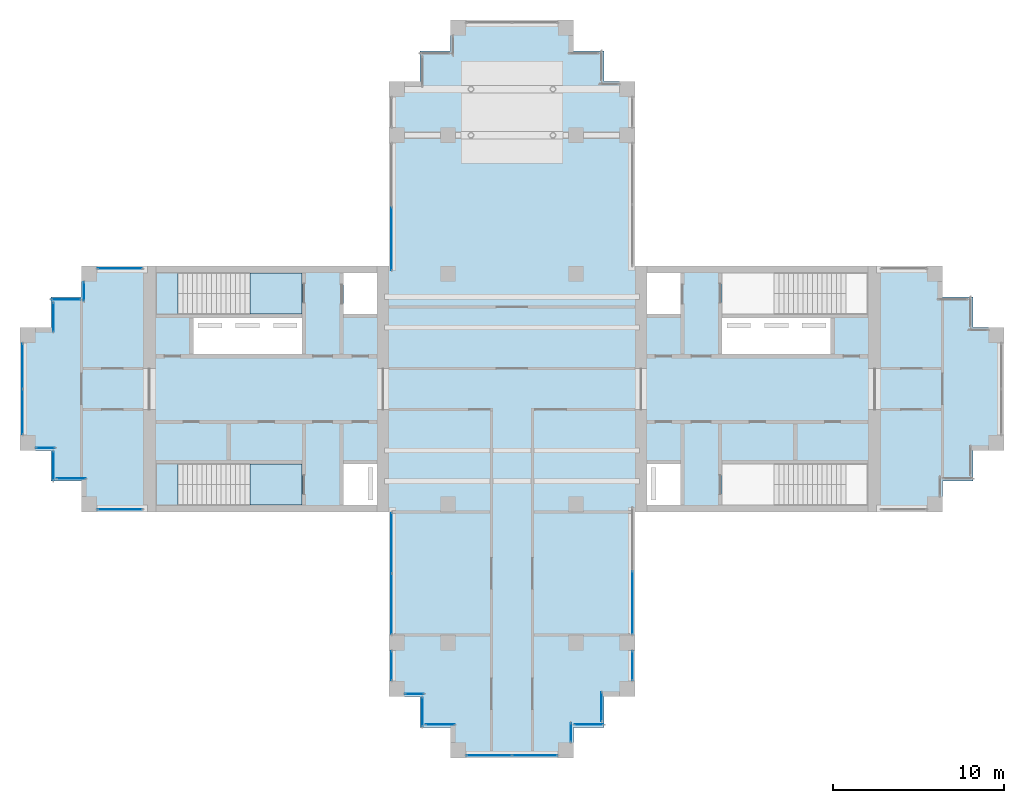
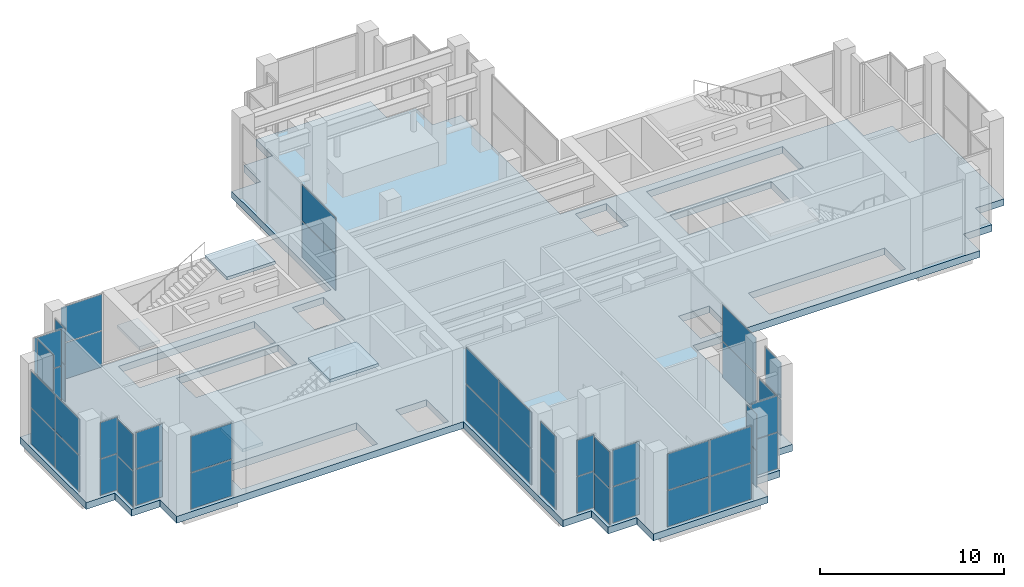
# One storey, part 8 of 13: 48 plates, 5 slabs, 23 elements without a shape of their own.
"""IFC4 building model written with IfcOpenShell, lengths in metres."""

from ifc_helpers import new_model, si_unit, direction, frame, origin, origin_2d, place, context, subcontext, project, spatial, polyline, rectangle, outline, extrude, material, layer, layer_set, type_object, element, aggregate, save


model = new_model("IFC4")

# Units and contexts
model_context = context("Model", 3, precision=1e-05, world=origin(), true_north=direction((0.0, 1.0)))
body_context = subcontext(model_context, "Body", "Model", "MODEL_VIEW")
ifc_project = project(units=[si_unit("LENGTHUNIT", "METRE"), si_unit("AREAUNIT", "SQUARE_METRE"), si_unit("VOLUMEUNIT", "CUBIC_METRE"), si_unit("PLANEANGLEUNIT", "RADIAN"), si_unit("MASSUNIT", "GRAM", prefix="KILO")], contexts=[model_context])

# Site, building, storey
site_placement = place(None, origin())
site = spatial("IfcSite", under=ifc_project, at=site_placement, CompositionType="ELEMENT")
building_placement = place(site_placement, origin())
building = spatial("IfcBuilding", under=site, at=building_placement, Name="Fustian Cross Tower", CompositionType="ELEMENT")
storey_placement = place(building_placement, frame((0.0, 0.0, 242.10009765625)))
storey = spatial("IfcBuildingStorey", under=building, at=storey_placement, Name="L76", CompositionType="ELEMENT", Elevation=242.10009765625)

# Curtain wall, plates
ifc_material_1 = material(Name="Glass", Category="glass")
curtain_wall_type = type_object("IfcCurtainWallType", Name="CW5 CURTAIN WALL", PredefinedType="NOTDEFINED", material=ifc_material_1)
curtain_wall_1_placement = place(storey_placement, origin())
curtain_wall_1 = element("IfcCurtainWall", 1, at=curtain_wall_1_placement, inside=storey, type_object=curtain_wall_type, Name="Curtain wall CW5", PredefinedType="NOTDEFINED")
ifc_material_2 = material(Name="Glass", Category="glass")
ifc_layer_1 = layer(ifc_material_2, 0.028076171875)
ifc_layer_set_1 = layer_set([ifc_layer_1], Name="Glass")
plate_type = type_object("IfcPlateType", Name="CW5 PANEL IGU28", PredefinedType="CURTAIN_PANEL", material=ifc_layer_set_1)
plate_1_placement = place(storey_placement, frame((-7.050048828125, 8.7900390625, 0.06005859375), z_axis=(0.0, 0.0, 1.0), x_axis=(0.0, -1.0, 0.0)))
plate_1 = element("IfcPlate", 2, at=plate_1_placement, type_object=plate_type, Name="CW5 panel 2.1", PredefinedType="CURTAIN_PANEL", context=body_context, shape_type="SweptSolid", body=[
    extrude(rectangle(XDim=3.659912109375, YDim=0.028076171875, at=origin_2d()), origin(), (0.0, 0.0, 1.0), 2.385009765625),
])
plate_2_placement = place(storey_placement, frame((-7.050048828125, 8.7900390625, 2.5048828125), z_axis=(0.0, 0.0, 1.0), x_axis=(0.0, -1.0, 0.0)))
plate_2 = element("IfcPlate", 3, at=plate_2_placement, type_object=plate_type, Name="CW5 panel 2.2", PredefinedType="CURTAIN_PANEL", context=body_context, shape_type="SweptSolid", body=[
    extrude(rectangle(XDim=3.659912109375, YDim=0.028076171875, at=origin_2d()), origin(), (0.0, 0.0, 1.0), 2.385009765625),
])
aggregate(curtain_wall_1, [plate_1, plate_2])

curtain_wall_2_placement = place(storey_placement, origin())
curtain_wall_2 = element("IfcCurtainWall", 4, at=curtain_wall_2_placement, inside=storey, type_object=curtain_wall_type, Name="Curtain wall CW5", PredefinedType="NOTDEFINED")
plate_3_placement = place(storey_placement, frame((-22.949951171875, 7.050048828125, 0.06005859375), z_axis=(0.0, 0.0, 1.0), x_axis=(-1.0, 0.0, 0.0)))
plate_3 = element("IfcPlate", 5, at=plate_3_placement, type_object=plate_type, Name="CW5 panel 1.1", PredefinedType="CURTAIN_PANEL", context=body_context, shape_type="SweptSolid", body=[
    extrude(rectangle(XDim=2.580078125, YDim=0.028076171875, at=origin_2d()), origin(), (0.0, 0.0, 1.0), 2.385009765625),
])
plate_4_placement = place(storey_placement, frame((-22.949951171875, 7.050048828125, 2.5048828125), z_axis=(0.0, 0.0, 1.0), x_axis=(-1.0, 0.0, 0.0)))
plate_4 = element("IfcPlate", 6, at=plate_4_placement, type_object=plate_type, Name="CW5 panel 1.2", PredefinedType="CURTAIN_PANEL", context=body_context, shape_type="SweptSolid", body=[
    extrude(rectangle(XDim=2.580078125, YDim=0.028076171875, at=origin_2d()), origin(), (0.0, 0.0, 1.0), 2.385009765625),
])
aggregate(curtain_wall_2, [plate_3, plate_4])

curtain_wall_3_placement = place(storey_placement, origin())
curtain_wall_3 = element("IfcCurtainWall", 7, at=curtain_wall_3_placement, inside=storey, type_object=curtain_wall_type, Name="Curtain wall CW5", PredefinedType="NOTDEFINED")
plate_5_placement = place(storey_placement, frame((-25.050048828125, 5.699951171875, 0.06005859375), z_axis=(0.0, 0.0, 1.0), x_axis=(0.0, -1.0, 0.0)))
plate_5 = element("IfcPlate", 8, at=plate_5_placement, type_object=plate_type, Name="CW5 panel 1.1", PredefinedType="CURTAIN_PANEL", context=body_context, shape_type="SweptSolid", body=[
    extrude(rectangle(XDim=1.080078125, YDim=0.028076171875, at=origin_2d()), origin(), (0.0, 0.0, 1.0), 2.385009765625),
])
plate_6_placement = place(storey_placement, frame((-25.050048828125, 5.699951171875, 2.5048828125), z_axis=(0.0, 0.0, 1.0), x_axis=(0.0, -1.0, 0.0)))
plate_6 = element("IfcPlate", 9, at=plate_6_placement, type_object=plate_type, Name="CW5 panel 1.2", PredefinedType="CURTAIN_PANEL", context=body_context, shape_type="SweptSolid", body=[
    extrude(rectangle(XDim=1.080078125, YDim=0.028076171875, at=origin_2d()), origin(), (0.0, 0.0, 1.0), 2.385009765625),
])
aggregate(curtain_wall_3, [plate_5, plate_6])

curtain_wall_4_placement = place(storey_placement, origin())
curtain_wall_4 = element("IfcCurtainWall", 10, at=curtain_wall_4_placement, inside=storey, type_object=curtain_wall_type, Name="Curtain wall CW5", PredefinedType="NOTDEFINED")
plate_7_placement = place(storey_placement, frame((-26.10009765625, 5.25, 0.06005859375), z_axis=(0.0, 0.0, 1.0), x_axis=(-1.0, 0.0, 0.0)))
plate_7 = element("IfcPlate", 11, at=plate_7_placement, type_object=plate_type, Name="CW5 panel 1.1", PredefinedType="CURTAIN_PANEL", context=body_context, shape_type="SweptSolid", body=[
    extrude(rectangle(XDim=1.679931640625, YDim=0.028076171875, at=origin_2d()), origin(), (0.0, 0.0, 1.0), 2.385009765625),
])
plate_8_placement = place(storey_placement, frame((-26.10009765625, 5.25, 2.5048828125), z_axis=(0.0, 0.0, 1.0), x_axis=(-1.0, 0.0, 0.0)))
plate_8 = element("IfcPlate", 12, at=plate_8_placement, type_object=plate_type, Name="CW5 panel 1.2", PredefinedType="CURTAIN_PANEL", context=body_context, shape_type="SweptSolid", body=[
    extrude(rectangle(XDim=1.679931640625, YDim=0.028076171875, at=origin_2d()), origin(), (0.0, 0.0, 1.0), 2.385009765625),
])
aggregate(curtain_wall_4, [plate_7, plate_8])

curtain_wall_5_placement = place(storey_placement, origin())
curtain_wall_5 = element("IfcCurtainWall", 13, at=curtain_wall_5_placement, inside=storey, type_object=curtain_wall_type, Name="Curtain wall CW5", PredefinedType="NOTDEFINED")
plate_9_placement = place(storey_placement, frame((-26.85009765625, 4.199951171875, 0.06005859375), z_axis=(0.0, 0.0, 1.0), x_axis=(0.0, -1.0, 0.0)))
plate_9 = element("IfcPlate", 14, at=plate_9_placement, type_object=plate_type, Name="CW5 panel 1.1", PredefinedType="CURTAIN_PANEL", context=body_context, shape_type="SweptSolid", body=[
    extrude(rectangle(XDim=1.679931640625, YDim=0.028076171875, at=origin_2d()), origin(), (0.0, 0.0, 1.0), 2.385009765625),
])
plate_10_placement = place(storey_placement, frame((-26.85009765625, 4.199951171875, 2.5048828125), z_axis=(0.0, 0.0, 1.0), x_axis=(0.0, -1.0, 0.0)))
plate_10 = element("IfcPlate", 15, at=plate_10_placement, type_object=plate_type, Name="CW5 panel 1.2", PredefinedType="CURTAIN_PANEL", context=body_context, shape_type="SweptSolid", body=[
    extrude(rectangle(XDim=1.679931640625, YDim=0.028076171875, at=origin_2d()), origin(), (0.0, 0.0, 1.0), 2.385009765625),
])
aggregate(curtain_wall_5, [plate_9, plate_10])

curtain_wall_6_placement = place(storey_placement, origin())
curtain_wall_6 = element("IfcCurtainWall", 16, at=curtain_wall_6_placement, inside=storey, type_object=curtain_wall_type, Name="Curtain wall CW5", PredefinedType="NOTDEFINED")
plate_11_placement = place(storey_placement, frame((-28.64990234375, 1.3349609375, 0.06005859375), z_axis=(0.0, 0.0, 1.0), x_axis=(0.0, -1.0, 0.0)))
plate_11 = element("IfcPlate", 17, at=plate_11_placement, type_object=plate_type, Name="CW5 panel 1.1", PredefinedType="CURTAIN_PANEL", context=body_context, shape_type="SweptSolid", body=[
    extrude(rectangle(XDim=2.610107421875, YDim=0.028076171875, at=origin_2d()), origin(), (0.0, 0.0, 1.0), 2.385009765625),
])
plate_12_placement = place(storey_placement, frame((-28.64990234375, 1.3349609375, 2.5048828125), z_axis=(0.0, 0.0, 1.0), x_axis=(0.0, -1.0, 0.0)))
plate_12 = element("IfcPlate", 18, at=plate_12_placement, type_object=plate_type, Name="CW5 panel 1.2", PredefinedType="CURTAIN_PANEL", context=body_context, shape_type="SweptSolid", body=[
    extrude(rectangle(XDim=2.610107421875, YDim=0.028076171875, at=origin_2d()), origin(), (0.0, 0.0, 1.0), 2.385009765625),
])
plate_13_placement = place(storey_placement, frame((-28.64990234375, -1.3349609375, 0.06005859375), z_axis=(0.0, 0.0, 1.0), x_axis=(0.0, -1.0, 0.0)))
plate_13 = element("IfcPlate", 19, at=plate_13_placement, type_object=plate_type, Name="CW5 panel 2.1", PredefinedType="CURTAIN_PANEL", context=body_context, shape_type="SweptSolid", body=[
    extrude(rectangle(XDim=2.610107421875, YDim=0.028076171875, at=origin_2d()), origin(), (0.0, 0.0, 1.0), 2.385009765625),
])
plate_14_placement = place(storey_placement, frame((-28.64990234375, -1.3349609375, 2.5048828125), z_axis=(0.0, 0.0, 1.0), x_axis=(0.0, -1.0, 0.0)))
plate_14 = element("IfcPlate", 20, at=plate_14_placement, type_object=plate_type, Name="CW5 panel 2.2", PredefinedType="CURTAIN_PANEL", context=body_context, shape_type="SweptSolid", body=[
    extrude(rectangle(XDim=2.610107421875, YDim=0.028076171875, at=origin_2d()), origin(), (0.0, 0.0, 1.0), 2.385009765625),
])
aggregate(curtain_wall_6, [plate_11, plate_12, plate_13, plate_14])

curtain_wall_7_placement = place(storey_placement, origin())
curtain_wall_7 = element("IfcCurtainWall", 21, at=curtain_wall_7_placement, inside=storey, type_object=curtain_wall_type, Name="Curtain wall CW5", PredefinedType="NOTDEFINED")
plate_15_placement = place(storey_placement, frame((-27.300048828125, -3.449951171875, 0.06005859375), z_axis=(0.0, 0.0, 1.0), x_axis=(1.0, 0.0, 0.0)))
plate_15 = element("IfcPlate", 22, at=plate_15_placement, type_object=plate_type, Name="CW5 panel 1.1", PredefinedType="CURTAIN_PANEL", context=body_context, shape_type="SweptSolid", body=[
    extrude(rectangle(XDim=1.080078125, YDim=0.028076171875, at=origin_2d()), origin(), (0.0, 0.0, 1.0), 2.385009765625),
])
plate_16_placement = place(storey_placement, frame((-27.300048828125, -3.449951171875, 2.5048828125), z_axis=(0.0, 0.0, 1.0), x_axis=(1.0, 0.0, 0.0)))
plate_16 = element("IfcPlate", 23, at=plate_16_placement, type_object=plate_type, Name="CW5 panel 1.2", PredefinedType="CURTAIN_PANEL", context=body_context, shape_type="SweptSolid", body=[
    extrude(rectangle(XDim=1.080078125, YDim=0.028076171875, at=origin_2d()), origin(), (0.0, 0.0, 1.0), 2.385009765625),
])
aggregate(curtain_wall_7, [plate_15, plate_16])

curtain_wall_8_placement = place(storey_placement, origin())
curtain_wall_8 = element("IfcCurtainWall", 24, at=curtain_wall_8_placement, inside=storey, type_object=curtain_wall_type, Name="Curtain wall CW5", PredefinedType="NOTDEFINED")
plate_17_placement = place(storey_placement, frame((-26.85009765625, -4.5, 0.06005859375), z_axis=(0.0, 0.0, 1.0), x_axis=(0.0, -1.0, 0.0)))
plate_17 = element("IfcPlate", 25, at=plate_17_placement, type_object=plate_type, Name="CW5 panel 1.1", PredefinedType="CURTAIN_PANEL", context=body_context, shape_type="SweptSolid", body=[
    extrude(rectangle(XDim=1.679931640625, YDim=0.028076171875, at=origin_2d()), origin(), (0.0, 0.0, 1.0), 2.385009765625),
])
plate_18_placement = place(storey_placement, frame((-26.85009765625, -4.5, 2.5048828125), z_axis=(0.0, 0.0, 1.0), x_axis=(0.0, -1.0, 0.0)))
plate_18 = element("IfcPlate", 26, at=plate_18_placement, type_object=plate_type, Name="CW5 panel 1.2", PredefinedType="CURTAIN_PANEL", context=body_context, shape_type="SweptSolid", body=[
    extrude(rectangle(XDim=1.679931640625, YDim=0.028076171875, at=origin_2d()), origin(), (0.0, 0.0, 1.0), 2.385009765625),
])
aggregate(curtain_wall_8, [plate_17, plate_18])

curtain_wall_9_placement = place(storey_placement, origin())
curtain_wall_9 = element("IfcCurtainWall", 27, at=curtain_wall_9_placement, inside=storey, type_object=curtain_wall_type, Name="Curtain wall CW5", PredefinedType="NOTDEFINED")
plate_19_placement = place(storey_placement, frame((-25.800048828125, -5.25, 0.06005859375), z_axis=(0.0, 0.0, 1.0), x_axis=(1.0, 0.0, 0.0)))
plate_19 = element("IfcPlate", 28, at=plate_19_placement, type_object=plate_type, Name="CW5 panel 1.1", PredefinedType="CURTAIN_PANEL", context=body_context, shape_type="SweptSolid", body=[
    extrude(rectangle(XDim=1.679931640625, YDim=0.028076171875, at=origin_2d()), origin(), (0.0, 0.0, 1.0), 2.385009765625),
])
plate_20_placement = place(storey_placement, frame((-25.800048828125, -5.25, 2.5048828125), z_axis=(0.0, 0.0, 1.0), x_axis=(1.0, 0.0, 0.0)))
plate_20 = element("IfcPlate", 29, at=plate_20_placement, type_object=plate_type, Name="CW5 panel 1.2", PredefinedType="CURTAIN_PANEL", context=body_context, shape_type="SweptSolid", body=[
    extrude(rectangle(XDim=1.679931640625, YDim=0.028076171875, at=origin_2d()), origin(), (0.0, 0.0, 1.0), 2.385009765625),
])
aggregate(curtain_wall_9, [plate_19, plate_20])

curtain_wall_10_placement = place(storey_placement, origin())
curtain_wall_10 = element("IfcCurtainWall", 30, at=curtain_wall_10_placement, inside=storey, type_object=curtain_wall_type, Name="Curtain wall CW5", PredefinedType="NOTDEFINED")
plate_21_placement = place(storey_placement, frame((-22.949951171875, -7.050048828125, 0.06005859375), z_axis=(0.0, 0.0, 1.0), x_axis=(1.0, 0.0, 0.0)))
plate_21 = element("IfcPlate", 31, at=plate_21_placement, type_object=plate_type, Name="CW5 panel 1.1", PredefinedType="CURTAIN_PANEL", context=body_context, shape_type="SweptSolid", body=[
    extrude(rectangle(XDim=2.580078125, YDim=0.028076171875, at=origin_2d()), origin(), (0.0, 0.0, 1.0), 2.385009765625),
])
plate_22_placement = place(storey_placement, frame((-22.949951171875, -7.050048828125, 2.5048828125), z_axis=(0.0, 0.0, 1.0), x_axis=(1.0, 0.0, 0.0)))
plate_22 = element("IfcPlate", 32, at=plate_22_placement, type_object=plate_type, Name="CW5 panel 1.2", PredefinedType="CURTAIN_PANEL", context=body_context, shape_type="SweptSolid", body=[
    extrude(rectangle(XDim=2.580078125, YDim=0.028076171875, at=origin_2d()), origin(), (0.0, 0.0, 1.0), 2.385009765625),
])
aggregate(curtain_wall_10, [plate_21, plate_22])

curtain_wall_11_placement = place(storey_placement, origin())
curtain_wall_11 = element("IfcCurtainWall", 33, at=curtain_wall_11_placement, inside=storey, type_object=curtain_wall_type, Name="Curtain wall CW5", PredefinedType="NOTDEFINED")
plate_23_placement = place(storey_placement, frame((-7.050048828125, -9.014892578125, 0.06005859375), z_axis=(0.0, 0.0, 1.0), x_axis=(0.0, -1.0, 0.0)))
plate_23 = element("IfcPlate", 34, at=plate_23_placement, type_object=plate_type, Name="CW5 panel 1.1", PredefinedType="CURTAIN_PANEL", context=body_context, shape_type="SweptSolid", body=[
    extrude(rectangle(XDim=3.510009765625, YDim=0.028076171875, at=origin_2d()), origin(), (0.0, 0.0, 1.0), 2.385009765625),
])
plate_24_placement = place(storey_placement, frame((-7.050048828125, -9.014892578125, 2.5048828125), z_axis=(0.0, 0.0, 1.0), x_axis=(0.0, -1.0, 0.0)))
plate_24 = element("IfcPlate", 35, at=plate_24_placement, type_object=plate_type, Name="CW5 panel 1.2", PredefinedType="CURTAIN_PANEL", context=body_context, shape_type="SweptSolid", body=[
    extrude(rectangle(XDim=3.510009765625, YDim=0.028076171875, at=origin_2d()), origin(), (0.0, 0.0, 1.0), 2.385009765625),
])
plate_25_placement = place(storey_placement, frame((-7.050048828125, -12.5849609375, 0.06005859375), z_axis=(0.0, 0.0, 1.0), x_axis=(0.0, -1.0, 0.0)))
plate_25 = element("IfcPlate", 36, at=plate_25_placement, type_object=plate_type, Name="CW5 panel 2.1", PredefinedType="CURTAIN_PANEL", context=body_context, shape_type="SweptSolid", body=[
    extrude(rectangle(XDim=3.510009765625, YDim=0.028076171875, at=origin_2d()), origin(), (0.0, 0.0, 1.0), 2.385009765625),
])
plate_26_placement = place(storey_placement, frame((-7.050048828125, -12.5849609375, 2.5048828125), z_axis=(0.0, 0.0, 1.0), x_axis=(0.0, -1.0, 0.0)))
plate_26 = element("IfcPlate", 37, at=plate_26_placement, type_object=plate_type, Name="CW5 panel 2.2", PredefinedType="CURTAIN_PANEL", context=body_context, shape_type="SweptSolid", body=[
    extrude(rectangle(XDim=3.510009765625, YDim=0.028076171875, at=origin_2d()), origin(), (0.0, 0.0, 1.0), 2.385009765625),
])
aggregate(curtain_wall_11, [plate_23, plate_24, plate_25, plate_26])

curtain_wall_12_placement = place(storey_placement, origin())
curtain_wall_12 = element("IfcCurtainWall", 38, at=curtain_wall_12_placement, inside=storey, type_object=curtain_wall_type, Name="Curtain wall CW5", PredefinedType="NOTDEFINED")
plate_27_placement = place(storey_placement, frame((-7.050048828125, -16.199951171875, 0.06005859375), z_axis=(0.0, 0.0, 1.0), x_axis=(0.0, -1.0, 0.0)))
plate_27 = element("IfcPlate", 39, at=plate_27_placement, type_object=plate_type, Name="CW5 panel 1.1", PredefinedType="CURTAIN_PANEL", context=body_context, shape_type="SweptSolid", body=[
    extrude(rectangle(XDim=1.679931640625, YDim=0.028076171875, at=origin_2d()), origin(), (0.0, 0.0, 1.0), 2.385009765625),
])
plate_28_placement = place(storey_placement, frame((-7.050048828125, -16.199951171875, 2.5048828125), z_axis=(0.0, 0.0, 1.0), x_axis=(0.0, -1.0, 0.0)))
plate_28 = element("IfcPlate", 40, at=plate_28_placement, type_object=plate_type, Name="CW5 panel 1.2", PredefinedType="CURTAIN_PANEL", context=body_context, shape_type="SweptSolid", body=[
    extrude(rectangle(XDim=1.679931640625, YDim=0.028076171875, at=origin_2d()), origin(), (0.0, 0.0, 1.0), 2.385009765625),
])
aggregate(curtain_wall_12, [plate_27, plate_28])

curtain_wall_13_placement = place(storey_placement, origin())
curtain_wall_13 = element("IfcCurtainWall", 41, at=curtain_wall_13_placement, inside=storey, type_object=curtain_wall_type, Name="Curtain wall CW5", PredefinedType="NOTDEFINED")
plate_29_placement = place(storey_placement, frame((-5.699951171875, -17.85009765625, 0.06005859375), z_axis=(0.0, 0.0, 1.0), x_axis=(1.0, 0.0, 0.0)))
plate_29 = element("IfcPlate", 42, at=plate_29_placement, type_object=plate_type, Name="CW5 panel 1.1", PredefinedType="CURTAIN_PANEL", context=body_context, shape_type="SweptSolid", body=[
    extrude(rectangle(XDim=1.080078125, YDim=0.028076171875, at=origin_2d()), origin(), (0.0, 0.0, 1.0), 2.385009765625),
])
plate_30_placement = place(storey_placement, frame((-5.699951171875, -17.85009765625, 2.5048828125), z_axis=(0.0, 0.0, 1.0), x_axis=(1.0, 0.0, 0.0)))
plate_30 = element("IfcPlate", 43, at=plate_30_placement, type_object=plate_type, Name="CW5 panel 1.2", PredefinedType="CURTAIN_PANEL", context=body_context, shape_type="SweptSolid", body=[
    extrude(rectangle(XDim=1.080078125, YDim=0.028076171875, at=origin_2d()), origin(), (0.0, 0.0, 1.0), 2.385009765625),
])
aggregate(curtain_wall_13, [plate_29, plate_30])

curtain_wall_14_placement = place(storey_placement, origin())
curtain_wall_14 = element("IfcCurtainWall", 44, at=curtain_wall_14_placement, inside=storey, type_object=curtain_wall_type, Name="Curtain wall CW5", PredefinedType="NOTDEFINED")
plate_31_placement = place(storey_placement, frame((-5.25, -18.89990234375, 0.06005859375), z_axis=(0.0, 0.0, 1.0), x_axis=(0.0, -1.0, 0.0)))
plate_31 = element("IfcPlate", 45, at=plate_31_placement, type_object=plate_type, Name="CW5 panel 1.1", PredefinedType="CURTAIN_PANEL", context=body_context, shape_type="SweptSolid", body=[
    extrude(rectangle(XDim=1.679931640625, YDim=0.028076171875, at=origin_2d()), origin(), (0.0, 0.0, 1.0), 2.385009765625),
])
plate_32_placement = place(storey_placement, frame((-5.25, -18.89990234375, 2.5048828125), z_axis=(0.0, 0.0, 1.0), x_axis=(0.0, -1.0, 0.0)))
plate_32 = element("IfcPlate", 46, at=plate_32_placement, type_object=plate_type, Name="CW5 panel 1.2", PredefinedType="CURTAIN_PANEL", context=body_context, shape_type="SweptSolid", body=[
    extrude(rectangle(XDim=1.679931640625, YDim=0.028076171875, at=origin_2d()), origin(), (0.0, 0.0, 1.0), 2.385009765625),
])
aggregate(curtain_wall_14, [plate_31, plate_32])

curtain_wall_15_placement = place(storey_placement, origin())
curtain_wall_15 = element("IfcCurtainWall", 47, at=curtain_wall_15_placement, inside=storey, type_object=curtain_wall_type, Name="Curtain wall CW5", PredefinedType="NOTDEFINED")
plate_33_placement = place(storey_placement, frame((-4.199951171875, -19.64990234375, 0.06005859375), z_axis=(0.0, 0.0, 1.0), x_axis=(1.0, 0.0, 0.0)))
plate_33 = element("IfcPlate", 48, at=plate_33_placement, type_object=plate_type, Name="CW5 panel 1.1", PredefinedType="CURTAIN_PANEL", context=body_context, shape_type="SweptSolid", body=[
    extrude(rectangle(XDim=1.679931640625, YDim=0.028076171875, at=origin_2d()), origin(), (0.0, 0.0, 1.0), 2.385009765625),
])
plate_34_placement = place(storey_placement, frame((-4.199951171875, -19.64990234375, 2.5048828125), z_axis=(0.0, 0.0, 1.0), x_axis=(1.0, 0.0, 0.0)))
plate_34 = element("IfcPlate", 49, at=plate_34_placement, type_object=plate_type, Name="CW5 panel 1.2", PredefinedType="CURTAIN_PANEL", context=body_context, shape_type="SweptSolid", body=[
    extrude(rectangle(XDim=1.679931640625, YDim=0.028076171875, at=origin_2d()), origin(), (0.0, 0.0, 1.0), 2.385009765625),
])
aggregate(curtain_wall_15, [plate_33, plate_34])

curtain_wall_16_placement = place(storey_placement, origin())
curtain_wall_16 = element("IfcCurtainWall", 50, at=curtain_wall_16_placement, inside=storey, type_object=curtain_wall_type, Name="Curtain wall CW5", PredefinedType="NOTDEFINED")
plate_35_placement = place(storey_placement, frame((-1.3349609375, -21.449951171875, 0.06005859375), z_axis=(0.0, 0.0, 1.0), x_axis=(1.0, 0.0, 0.0)))
plate_35 = element("IfcPlate", 51, at=plate_35_placement, type_object=plate_type, Name="CW5 panel 1.1", PredefinedType="CURTAIN_PANEL", context=body_context, shape_type="SweptSolid", body=[
    extrude(rectangle(XDim=2.610107421875, YDim=0.028076171875, at=origin_2d()), origin(), (0.0, 0.0, 1.0), 2.385009765625),
])
plate_36_placement = place(storey_placement, frame((-1.3349609375, -21.449951171875, 2.5048828125), z_axis=(0.0, 0.0, 1.0), x_axis=(1.0, 0.0, 0.0)))
plate_36 = element("IfcPlate", 52, at=plate_36_placement, type_object=plate_type, Name="CW5 panel 1.2", PredefinedType="CURTAIN_PANEL", context=body_context, shape_type="SweptSolid", body=[
    extrude(rectangle(XDim=2.610107421875, YDim=0.028076171875, at=origin_2d()), origin(), (0.0, 0.0, 1.0), 2.385009765625),
])
plate_37_placement = place(storey_placement, frame((1.3349609375, -21.449951171875, 0.06005859375), z_axis=(0.0, 0.0, 1.0), x_axis=(1.0, 0.0, 0.0)))
plate_37 = element("IfcPlate", 53, at=plate_37_placement, type_object=plate_type, Name="CW5 panel 2.1", PredefinedType="CURTAIN_PANEL", context=body_context, shape_type="SweptSolid", body=[
    extrude(rectangle(XDim=2.610107421875, YDim=0.028076171875, at=origin_2d()), origin(), (0.0, 0.0, 1.0), 2.385009765625),
])
plate_38_placement = place(storey_placement, frame((1.3349609375, -21.449951171875, 2.5048828125), z_axis=(0.0, 0.0, 1.0), x_axis=(1.0, 0.0, 0.0)))
plate_38 = element("IfcPlate", 54, at=plate_38_placement, type_object=plate_type, Name="CW5 panel 2.2", PredefinedType="CURTAIN_PANEL", context=body_context, shape_type="SweptSolid", body=[
    extrude(rectangle(XDim=2.610107421875, YDim=0.028076171875, at=origin_2d()), origin(), (0.0, 0.0, 1.0), 2.385009765625),
])
aggregate(curtain_wall_16, [plate_35, plate_36, plate_37, plate_38])

curtain_wall_17_placement = place(storey_placement, origin())
curtain_wall_17 = element("IfcCurtainWall", 55, at=curtain_wall_17_placement, inside=storey, type_object=curtain_wall_type, Name="Curtain wall CW5", PredefinedType="NOTDEFINED")
plate_39_placement = place(storey_placement, frame((3.449951171875, -20.10009765625, 0.06005859375), z_axis=(0.0, 0.0, 1.0), x_axis=(0.0, 1.0, 0.0)))
plate_39 = element("IfcPlate", 56, at=plate_39_placement, type_object=plate_type, Name="CW5 panel 1.1", PredefinedType="CURTAIN_PANEL", context=body_context, shape_type="SweptSolid", body=[
    extrude(rectangle(XDim=1.080078125, YDim=0.028076171875, at=origin_2d()), origin(), (0.0, 0.0, 1.0), 2.385009765625),
])
plate_40_placement = place(storey_placement, frame((3.449951171875, -20.10009765625, 2.5048828125), z_axis=(0.0, 0.0, 1.0), x_axis=(0.0, 1.0, 0.0)))
plate_40 = element("IfcPlate", 57, at=plate_40_placement, type_object=plate_type, Name="CW5 panel 1.2", PredefinedType="CURTAIN_PANEL", context=body_context, shape_type="SweptSolid", body=[
    extrude(rectangle(XDim=1.080078125, YDim=0.028076171875, at=origin_2d()), origin(), (0.0, 0.0, 1.0), 2.385009765625),
])
aggregate(curtain_wall_17, [plate_39, plate_40])

curtain_wall_18_placement = place(storey_placement, origin())
curtain_wall_18 = element("IfcCurtainWall", 58, at=curtain_wall_18_placement, inside=storey, type_object=curtain_wall_type, Name="Curtain wall CW5", PredefinedType="NOTDEFINED")
plate_41_placement = place(storey_placement, frame((4.5, -19.64990234375, 0.06005859375), z_axis=(0.0, 0.0, 1.0), x_axis=(1.0, 0.0, 0.0)))
plate_41 = element("IfcPlate", 59, at=plate_41_placement, type_object=plate_type, Name="CW5 panel 1.1", PredefinedType="CURTAIN_PANEL", context=body_context, shape_type="SweptSolid", body=[
    extrude(rectangle(XDim=1.679931640625, YDim=0.028076171875, at=origin_2d()), origin(), (0.0, 0.0, 1.0), 2.385009765625),
])
plate_42_placement = place(storey_placement, frame((4.5, -19.64990234375, 2.5048828125), z_axis=(0.0, 0.0, 1.0), x_axis=(1.0, 0.0, 0.0)))
plate_42 = element("IfcPlate", 60, at=plate_42_placement, type_object=plate_type, Name="CW5 panel 1.2", PredefinedType="CURTAIN_PANEL", context=body_context, shape_type="SweptSolid", body=[
    extrude(rectangle(XDim=1.679931640625, YDim=0.028076171875, at=origin_2d()), origin(), (0.0, 0.0, 1.0), 2.385009765625),
])
aggregate(curtain_wall_18, [plate_41, plate_42])

curtain_wall_19_placement = place(storey_placement, origin())
curtain_wall_19 = element("IfcCurtainWall", 61, at=curtain_wall_19_placement, inside=storey, type_object=curtain_wall_type, Name="Curtain wall CW5", PredefinedType="NOTDEFINED")
plate_43_placement = place(storey_placement, frame((5.25, -18.60009765625, 0.06005859375), z_axis=(0.0, 0.0, 1.0), x_axis=(0.0, 1.0, 0.0)))
plate_43 = element("IfcPlate", 62, at=plate_43_placement, type_object=plate_type, Name="CW5 panel 1.1", PredefinedType="CURTAIN_PANEL", context=body_context, shape_type="SweptSolid", body=[
    extrude(rectangle(XDim=1.679931640625, YDim=0.028076171875, at=origin_2d()), origin(), (0.0, 0.0, 1.0), 2.385009765625),
])
plate_44_placement = place(storey_placement, frame((5.25, -18.60009765625, 2.5048828125), z_axis=(0.0, 0.0, 1.0), x_axis=(0.0, 1.0, 0.0)))
plate_44 = element("IfcPlate", 63, at=plate_44_placement, type_object=plate_type, Name="CW5 panel 1.2", PredefinedType="CURTAIN_PANEL", context=body_context, shape_type="SweptSolid", body=[
    extrude(rectangle(XDim=1.679931640625, YDim=0.028076171875, at=origin_2d()), origin(), (0.0, 0.0, 1.0), 2.385009765625),
])
aggregate(curtain_wall_19, [plate_43, plate_44])

curtain_wall_20_placement = place(storey_placement, origin())
curtain_wall_20 = element("IfcCurtainWall", 64, at=curtain_wall_20_placement, inside=storey, type_object=curtain_wall_type, Name="Curtain wall CW5", PredefinedType="NOTDEFINED")
plate_45_placement = place(storey_placement, frame((7.050048828125, -16.199951171875, 0.06005859375), z_axis=(0.0, 0.0, 1.0), x_axis=(0.0, 1.0, 0.0)))
plate_45 = element("IfcPlate", 65, at=plate_45_placement, type_object=plate_type, Name="CW5 panel 1.1", PredefinedType="CURTAIN_PANEL", context=body_context, shape_type="SweptSolid", body=[
    extrude(rectangle(XDim=1.679931640625, YDim=0.028076171875, at=origin_2d()), origin(), (0.0, 0.0, 1.0), 2.385009765625),
])
plate_46_placement = place(storey_placement, frame((7.050048828125, -16.199951171875, 2.5048828125), z_axis=(0.0, 0.0, 1.0), x_axis=(0.0, 1.0, 0.0)))
plate_46 = element("IfcPlate", 66, at=plate_46_placement, type_object=plate_type, Name="CW5 panel 1.2", PredefinedType="CURTAIN_PANEL", context=body_context, shape_type="SweptSolid", body=[
    extrude(rectangle(XDim=1.679931640625, YDim=0.028076171875, at=origin_2d()), origin(), (0.0, 0.0, 1.0), 2.385009765625),
])
aggregate(curtain_wall_20, [plate_45, plate_46])

curtain_wall_21_placement = place(storey_placement, origin())
curtain_wall_21 = element("IfcCurtainWall", 67, at=curtain_wall_21_placement, inside=storey, type_object=curtain_wall_type, Name="Curtain wall CW5", PredefinedType="NOTDEFINED")
plate_47_placement = place(storey_placement, frame((7.050048828125, -12.510009765625, 0.06005859375), z_axis=(0.0, 0.0, 1.0), x_axis=(0.0, 1.0, 0.0)))
plate_47 = element("IfcPlate", 68, at=plate_47_placement, type_object=plate_type, Name="CW5 panel 1.1", PredefinedType="CURTAIN_PANEL", context=body_context, shape_type="SweptSolid", body=[
    extrude(rectangle(XDim=3.659912109375, YDim=0.028076171875, at=origin_2d()), origin(), (0.0, 0.0, 1.0), 2.385009765625),
])
plate_48_placement = place(storey_placement, frame((7.050048828125, -12.510009765625, 2.5048828125), z_axis=(0.0, 0.0, 1.0), x_axis=(0.0, 1.0, 0.0)))
plate_48 = element("IfcPlate", 69, at=plate_48_placement, type_object=plate_type, Name="CW5 panel 1.2", PredefinedType="CURTAIN_PANEL", context=body_context, shape_type="SweptSolid", body=[
    extrude(rectangle(XDim=3.659912109375, YDim=0.028076171875, at=origin_2d()), origin(), (0.0, 0.0, 1.0), 2.385009765625),
])
aggregate(curtain_wall_21, [plate_47, plate_48])

# Slab
ifc_material_3 = material(Name="Concrete C40/50", Category="concrete")
ifc_layer_2 = layer(ifc_material_3, 0.449951171875)
ifc_layer_set_2 = layer_set([ifc_layer_2], Name="Concrete C40/50")
slab_type_1 = type_object("IfcSlabType", Name="FLAT SLAB 450", PredefinedType="FLOOR", material=ifc_layer_set_2)
slab_1_placement = place(storey_placement, frame((0.0, 0.0, -0.4501953125)))
element("IfcSlab", 70, at=slab_1_placement, inside=storey, type_object=slab_type_1, Name="FLOOR SLAB L76-1", PredefinedType="FLOOR", context=body_context, shape_type="SweptSolid", body=[
    extrude(outline(polyline([(-7.199951171875, -18.0), (-7.199951171875, -7.199951171875), (-25.199951171875, -7.199951171875), (-25.199951171875, -5.39990234375), (-27.0, -5.39990234375), (-27.0, -3.60009765625), (-28.800048828125, -3.60009765625), (-28.800048828125, 3.60009765625), (-27.0, 3.60009765625), (-27.0, 5.39990234375), (-25.199951171875, 5.39990234375), (-25.199951171875, 7.199951171875), (-7.199951171875, 7.199951171875), (-7.199951171875, 18.0), (-5.39990234375, 18.0), (-5.39990234375, 19.800048828125), (-3.60009765625, 19.800048828125), (-3.60009765625, 21.60009765625), (3.60009765625, 21.60009765625), (3.60009765625, 19.800048828125), (5.39990234375, 19.800048828125), (5.39990234375, 18.0), (7.199951171875, 18.0), (7.199951171875, 7.199951171875), (25.199951171875, 7.199951171875), (25.199951171875, 5.39990234375), (27.0, 5.39990234375), (27.0, 3.60009765625), (28.800048828125, 3.60009765625), (28.800048828125, -3.60009765625), (27.0, -3.60009765625), (27.0, -5.39990234375), (25.199951171875, -5.39990234375), (25.199951171875, -7.199951171875), (7.199951171875, -7.199951171875), (7.199951171875, -18.0), (5.39990234375, -18.0), (5.39990234375, -19.800048828125), (3.60009765625, -19.800048828125), (3.60009765625, -21.60009765625), (-3.60009765625, -21.60009765625), (-3.60009765625, -19.800048828125), (-5.39990234375, -19.800048828125), (-5.39990234375, -18.0), (-7.199951171875, -18.0)]), holes=[polyline([(7.89990234375, 6.800048828125), (7.89990234375, 4.39990234375), (9.85009765625, 4.39990234375), (9.85009765625, 6.800048828125), (7.89990234375, 6.800048828125)]), polyline([(9.85009765625, -4.39990234375), (7.89990234375, -4.39990234375), (7.89990234375, -6.800048828125), (9.85009765625, -6.800048828125), (9.85009765625, -4.39990234375)]), polyline([(-7.89990234375, 4.39990234375), (-7.89990234375, 6.800048828125), (-9.85009765625, 6.800048828125), (-9.85009765625, 4.39990234375), (-7.89990234375, 4.39990234375)]), polyline([(-9.85009765625, -6.800048828125), (-7.89990234375, -6.800048828125), (-7.89990234375, -4.39990234375), (-9.85009765625, -4.39990234375), (-9.85009765625, -6.800048828125)]), polyline([(12.300048828125, 4.14990234375), (12.300048828125, 2.050048828125), (18.64990234375, 2.050048828125), (18.64990234375, 4.14990234375), (12.300048828125, 4.14990234375)]), polyline([(-12.300048828125, 4.14990234375), (-18.64990234375, 4.14990234375), (-18.64990234375, 2.050048828125), (-12.300048828125, 2.050048828125), (-12.300048828125, 4.14990234375)]), polyline([(20.85009765625, 4.39990234375), (20.85009765625, 6.699951171875), (12.300048828125, 6.699951171875), (12.300048828125, 4.39990234375), (20.85009765625, 4.39990234375)]), polyline([(12.300048828125, -6.699951171875), (20.85009765625, -6.699951171875), (20.85009765625, -4.39990234375), (12.300048828125, -4.39990234375), (12.300048828125, -6.699951171875)]), polyline([(-20.85009765625, 6.699951171875), (-20.85009765625, 4.39990234375), (-12.300048828125, 4.39990234375), (-12.300048828125, 6.699951171875), (-20.85009765625, 6.699951171875)]), polyline([(-12.300048828125, -4.39990234375), (-20.85009765625, -4.39990234375), (-20.85009765625, -6.699951171875), (-12.300048828125, -6.699951171875), (-12.300048828125, -4.39990234375)])]), origin(), (0.0, 0.0, 1.0), 0.4501953125),
])

# Stair, slabs
ifc_material_4 = material(Name="Concrete C50/60", Category="concrete")
stair_type = type_object("IfcStairType", Name="STAIR 1200 HALF TURN", PredefinedType="HALF_TURN_STAIR", material=ifc_material_4)
stair_1_placement = place(storey_placement, origin())
stair_1 = element("IfcStair", 71, at=stair_1_placement, inside=storey, type_object=stair_type, Name="Stair ST3", PredefinedType="HALF_TURN_STAIR")
ifc_material_5 = material(Name="Concrete C50/60", Category="concrete")
ifc_layer_3 = layer(ifc_material_5, 0.199951171875)
ifc_layer_set_3 = layer_set([ifc_layer_3], Name="Concrete C50/60")
slab_type_2 = type_object("IfcSlabType", Name="STAIR LANDING", PredefinedType="LANDING", material=ifc_layer_set_3)
slab_2_placement = place(storey_placement, frame((0.0, 0.0, 2.5)))
slab_2 = element("IfcSlab", 72, at=slab_2_placement, type_object=slab_type_2, Name="ST3 landing 1", PredefinedType="LANDING", context=body_context, shape_type="SweptSolid", body=[
    extrude(outline(polyline([(-19.550048828125, 4.39990234375), (-20.85009765625, 4.39990234375), (-20.85009765625, 6.800048828125), (-19.550048828125, 6.800048828125), (-19.550048828125, 4.39990234375)])), origin(), (0.0, 0.0, 1.0), 0.199951171875),
])
slab_3_placement = place(storey_placement, frame((0.0, 0.0, 5.199951171875)))
slab_3 = element("IfcSlab", 73, at=slab_3_placement, type_object=slab_type_2, Name="ST3 landing 2", PredefinedType="LANDING", context=body_context, shape_type="SweptSolid", body=[
    extrude(outline(polyline([(-12.300048828125, 4.39990234375), (-15.35009765625, 4.39990234375), (-15.35009765625, 6.800048828125), (-12.300048828125, 6.800048828125), (-12.300048828125, 4.39990234375)])), origin(), (0.0, 0.0, 1.0), 0.199951171875),
])
aggregate(stair_1, [slab_2, slab_3])

stair_2_placement = place(storey_placement, origin())
stair_2 = element("IfcStair", 74, at=stair_2_placement, inside=storey, type_object=stair_type, Name="Stair ST4", PredefinedType="HALF_TURN_STAIR")
slab_4_placement = place(storey_placement, frame((0.0, 0.0, 2.5)))
slab_4 = element("IfcSlab", 75, at=slab_4_placement, type_object=slab_type_2, Name="ST4 landing 1", PredefinedType="LANDING", context=body_context, shape_type="SweptSolid", body=[
    extrude(outline(polyline([(-19.550048828125, -4.39990234375), (-20.85009765625, -4.39990234375), (-20.85009765625, -6.800048828125), (-19.550048828125, -6.800048828125), (-19.550048828125, -4.39990234375)])), origin(), (0.0, 0.0, 1.0), 0.199951171875),
])
slab_5_placement = place(storey_placement, frame((0.0, 0.0, 5.199951171875)))
slab_5 = element("IfcSlab", 76, at=slab_5_placement, type_object=slab_type_2, Name="ST4 landing 2", PredefinedType="LANDING", context=body_context, shape_type="SweptSolid", body=[
    extrude(outline(polyline([(-12.300048828125, -4.39990234375), (-15.35009765625, -4.39990234375), (-15.35009765625, -6.800048828125), (-12.300048828125, -6.800048828125), (-12.300048828125, -4.39990234375)])), origin(), (0.0, 0.0, 1.0), 0.199951171875),
])
aggregate(stair_2, [slab_4, slab_5])

save(model, "model.ifc")
